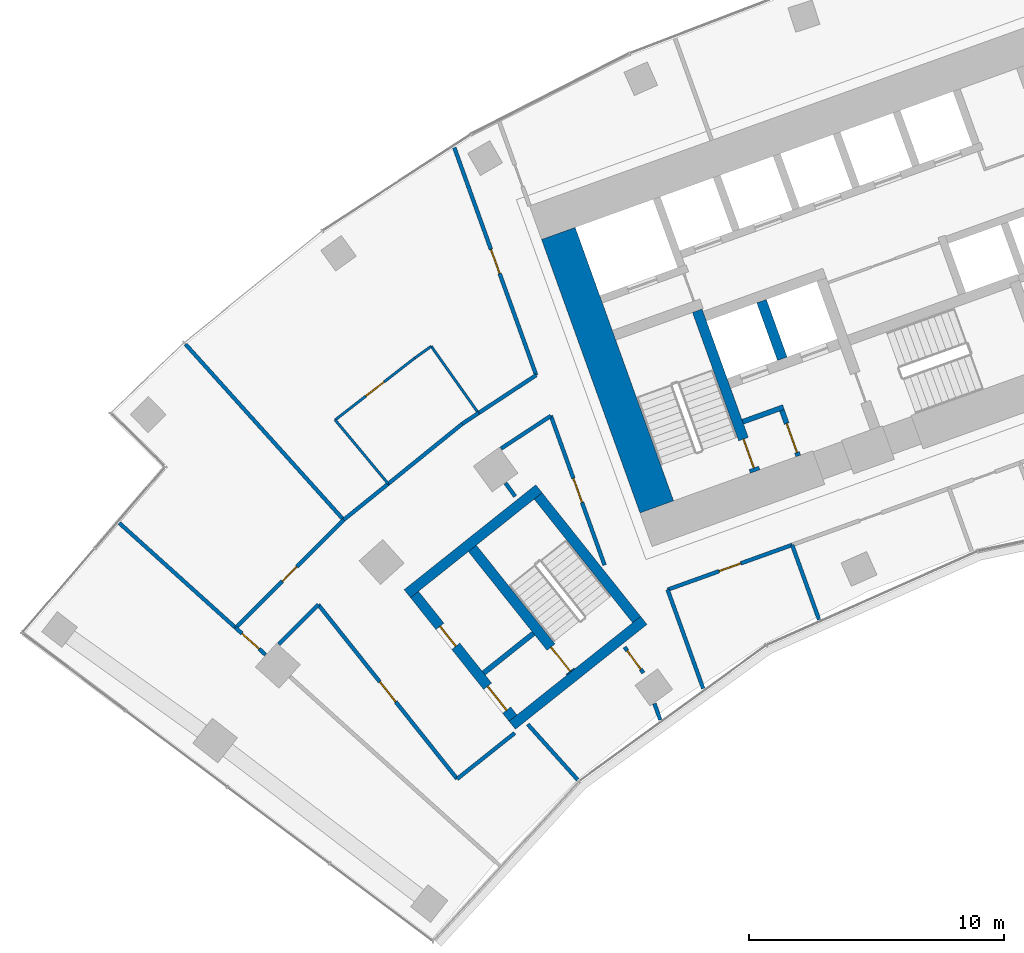
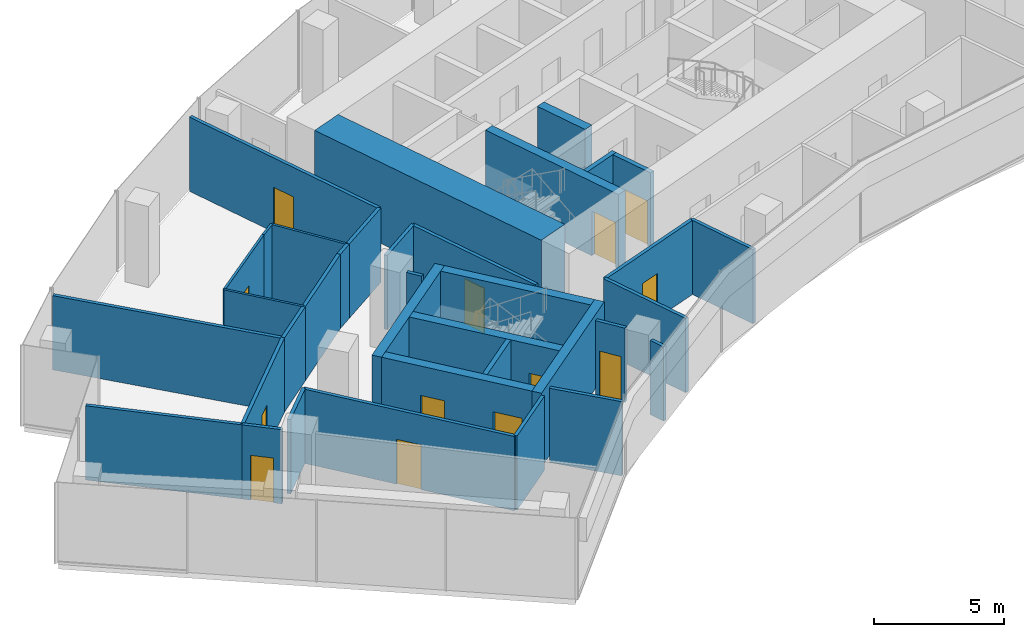
# One storey, part 13 of 21: 36 walls, 13 doors, 13 openings.
"""IFC4 building model written with IfcOpenShell, lengths in metres."""

from ifc_helpers import new_model, si_unit, direction, frame, frame_2d, origin, place, context, subcontext, project, spatial, rectangle, extrude, material, layer, layer_set, type_object, element, fill, save


model = new_model("IFC4")

# Units and contexts
model_context = context("Model", 3, precision=1e-05, world=origin(), true_north=direction((0.0, 1.0)))
body_context = subcontext(model_context, "Body", "Model", "MODEL_VIEW")
ifc_project = project(units=[si_unit("LENGTHUNIT", "METRE"), si_unit("AREAUNIT", "SQUARE_METRE"), si_unit("VOLUMEUNIT", "CUBIC_METRE"), si_unit("PLANEANGLEUNIT", "RADIAN"), si_unit("MASSUNIT", "GRAM", prefix="KILO")], contexts=[model_context])

# Site, building, storey
site_placement = place(None, origin())
site = spatial("IfcSite", under=ifc_project, at=site_placement, CompositionType="ELEMENT")
building_placement = place(site_placement, origin())
building = spatial("IfcBuilding", under=site, at=building_placement, Name="Stone Belt Terrace Tower", CompositionType="ELEMENT")
storey_placement = place(building_placement, frame((0.0, 0.0, 159.199951171875)))
storey = spatial("IfcBuildingStorey", under=building, at=storey_placement, Name="L38", CompositionType="ELEMENT", Elevation=159.199951171875)

# Walls
ifc_material_1 = material(Name="Concrete B80", Category="concrete")
ifc_layer_1 = layer(ifc_material_1, 1.39990234375)
ifc_layer_set_1 = layer_set([ifc_layer_1], Name="Core wall 1400 B80")
wall_type_1 = type_object("IfcWallType", Name="Core wall 1400 B80", PredefinedType="SHEAR", material=ifc_layer_set_1)
wall_1_placement = place(storey_placement, frame((-26.00927734375, 43.03515625, 0.0), z_axis=(0.0, 0.0, 1.0), x_axis=(-0.338625431531, 0.940921259788, 0.0)))
element("IfcWall", 1, at=wall_1_placement, inside=storey, type_object=wall_type_1, Name="Core A wall end_a L38", PredefinedType="SHEAR", context=body_context, shape_type="SweptSolid", body=[
    extrude(rectangle(XDim=11.400146484375, YDim=1.39990234375, at=frame_2d((5.7001953125, 0.0))), origin(), (0.0, 0.0, 1.0), 3.800048828125),
])
ifc_layer_2 = layer(ifc_material_1, 0.39990234375)
ifc_layer_set_2 = layer_set([ifc_layer_2], Name="Fire-fighting lift shaft wall 400")
wall_type_2 = type_object("IfcWallType", Name="Fire-fighting lift shaft wall 400", PredefinedType="SHEAR", material=ifc_layer_set_2)
wall_2_placement = place(storey_placement, frame((-21.0859375, 48.845458984375, 0.0), z_axis=(0.0, 0.0, 1.0), x_axis=(-0.338629416206, 0.940919825745, 0.0)))
element("IfcWall", 2, at=wall_2_placement, inside=storey, type_object=wall_type_2, Name="Core A wall", PredefinedType="SHEAR", context=body_context, shape_type="SweptSolid", body=[
    extrude(rectangle(XDim=2.400146484375, YDim=0.39990234375, at=frame_2d((1.2001953125, 0.0))), origin(), (0.0, 0.0, 1.0), 3.47998046875),
])
ifc_material_2 = material(Name="Gypsum board partition")
ifc_layer_3 = layer(ifc_material_2, 0.10009765625)
ifc_layer_set_3 = layer_set([ifc_layer_3], Name="PARTITION 100")
wall_type_3 = type_object("IfcWallType", Name="PARTITION 100", PredefinedType="PARTITIONING", material=ifc_layer_set_3)
wall_3_placement = place(storey_placement, frame((-33.00390625, 46.7119140625, 0.0), z_axis=(0.0, 0.0, 1.0), x_axis=(-0.576987586469, 0.81675291555, 0.0)))
element("IfcWall", 3, at=wall_3_placement, inside=storey, type_object=wall_type_3, Name="L38/wall/i056", PredefinedType="PARTITIONING", context=body_context, shape_type="SweptSolid", body=[
    extrude(rectangle(XDim=3.211669921875, YDim=0.10009765625, at=frame_2d((1.60595703125, 0.0))), origin(), (0.0, 0.0, 1.0), 3.47998046875),
])
wall_4_placement = place(storey_placement, frame((-34.85693359375, 49.3349609375, 0.0), z_axis=(0.0, 0.0, 1.0), x_axis=(-0.813051119642, -0.582192302293, 0.0)))
element("IfcWall", 4, at=wall_4_placement, inside=storey, type_object=wall_type_3, Name="L38/wall/i057", PredefinedType="PARTITIONING", context=body_context, shape_type="SweptSolid", body=[
    extrude(rectangle(XDim=0.79833984375, YDim=0.10009765625, at=frame_2d((0.399169921875, 0.0))), origin(), (0.0, 0.0, 1.0), 3.47998046875),
])

# Wall, opening, door
wall_5_placement = place(storey_placement, frame((-35.506103515625, 48.8701171875, 0.0), z_axis=(0.0, 0.0, 1.0), x_axis=(-0.789445377815, -0.613820817052, 0.0)))
wall_5 = element("IfcWall", 5, at=wall_5_placement, inside=storey, type_object=wall_type_3, Name="L38/wall/i058", PredefinedType="PARTITIONING", context=body_context, shape_type="SweptSolid", body=[
    extrude(rectangle(XDim=3.95068359375, YDim=0.10009765625, at=frame_2d((1.975341796875, 0.0))), origin(), (0.0, 0.0, 1.0), 3.47998046875),
])
opening_1_placement = place(wall_5_placement, frame((1.525390625, 0.0, 0.0)))
opening_1 = element("IfcOpeningElement", 6, at=opening_1_placement, cuts=wall_5, Name="Opening D-C2-17", PredefinedType="OPENING", context=body_context, shape_type="SweptSolid", body=[
    extrude(rectangle(XDim=0.89990234375, YDim=2.10009765625, at=frame_2d((0.449951171875, 1.050048828125))), frame((0.0, 0.06005859375, 0.0), z_axis=(0.0, -1.0, 0.0), x_axis=(1.0, 0.0, 0.0)), (0.0, 0.0, 1.0), 0.1201171875),
])
ifc_material_3 = material(Name="Timber door leaf", Category="wood")
door_type_1 = type_object("IfcDoorType", Name="OFFICE DOOR 900 X 2100", OperationType="NOTDEFINED", PredefinedType="DOOR", material=ifc_material_3)
door_1_placement = place(opening_1_placement, origin())
door_1 = element("IfcDoor", 7, at=door_1_placement, inside=storey, type_object=door_type_1, Name="L38/door/i17", OperationType="SINGLE_SWING_RIGHT", OverallHeight=2.10009765625, OverallWidth=0.89990234375, PredefinedType="DOOR", context=body_context, shape_type="SweptSolid", body=[
    extrude(rectangle(XDim=0.89990234375, YDim=2.10009765625, at=frame_2d((0.449951171875, 1.050048828125))), frame((0.0, 0.02490234375, 0.0), z_axis=(0.0, -1.0, 0.0), x_axis=(1.0, 0.0, 0.0)), (0.0, 0.0, 1.0), 0.050048828125),
])
fill(opening_1, door_1)

# Walls
wall_6_placement = place(storey_placement, frame((-38.625, 46.445068359375, 0.0), z_axis=(0.0, 0.0, 1.0), x_axis=(0.639468695187, -0.768817135524, 0.0)))
element("IfcWall", 8, at=wall_6_placement, inside=storey, type_object=wall_type_3, Name="L38/wall/i059", PredefinedType="PARTITIONING", context=body_context, shape_type="SweptSolid", body=[
    extrude(rectangle(XDim=3.255859375, YDim=0.10009765625, at=frame_2d((1.6279296875, 0.0))), origin(), (0.0, 0.0, 1.0), 3.47998046875),
])
ifc_layer_4 = layer(ifc_material_2, 0.14990234375)
ifc_layer_set_4 = layer_set([ifc_layer_4], Name="PARTITION 150 EI 60")
wall_type_4 = type_object("IfcWallType", Name="PARTITION 150 EI 60", PredefinedType="PARTITIONING", material=ifc_layer_set_4)
wall_7_placement = place(storey_placement, frame((-25.5859375, 39.79296875, 0.0), z_axis=(0.0, 0.0, 1.0), x_axis=(0.338545933013, -0.940949866486, 0.0)))
element("IfcWall", 9, at=wall_7_placement, inside=storey, type_object=wall_type_4, Name="L38/wall/i001", PredefinedType="PARTITIONING", context=body_context, shape_type="SweptSolid", body=[
    extrude(rectangle(XDim=4.135009765625, YDim=0.14990234375, at=frame_2d((2.0673828125, 0.0))), origin(), (0.0, 0.0, 1.0), 3.47998046875),
])

# Wall, opening, door
wall_8_placement = place(storey_placement, frame((-28.05810546875, 40.75390625, 0.0), z_axis=(0.0, 0.0, 1.0), x_axis=(-0.338523697563, 0.94095786632, 0.0)))
wall_8 = element("IfcWall", 10, at=wall_8_placement, inside=storey, type_object=wall_type_4, Name="L38/wall/i003", PredefinedType="PARTITIONING", context=body_context, shape_type="SweptSolid", body=[
    extrude(rectangle(XDim=6.226806640625, YDim=0.14990234375, at=frame_2d((3.11328125, 0.0))), origin(), (0.0, 0.0, 1.0), 3.47998046875),
])
opening_2_placement = place(wall_8_placement, frame((2.61328125, 0.0, 0.0)))
opening_2 = element("IfcOpeningElement", 11, at=opening_2_placement, cuts=wall_8, Name="Opening D-C2-13", PredefinedType="OPENING", context=body_context, shape_type="SweptSolid", body=[
    extrude(rectangle(XDim=1.0, YDim=2.10009765625, at=frame_2d((0.5, 1.050048828125))), frame((0.0, 0.0849609375, 0.0), z_axis=(0.0, -1.0, 0.0), x_axis=(1.0, 0.0, 0.0)), (0.0, 0.0, 1.0), 0.169921875),
])
ifc_material_4 = material(Name="Timber fire door leaf", Category="wood")
door_type_2 = type_object("IfcDoorType", Name="TENANCY ENTRANCE DOOR 1000 X 2100", OperationType="NOTDEFINED", PredefinedType="DOOR", material=ifc_material_4)
door_2_placement = place(opening_2_placement, origin())
door_2 = element("IfcDoor", 12, at=door_2_placement, inside=storey, type_object=door_type_2, Name="L38/door/i13", OperationType="SINGLE_SWING_RIGHT", OverallHeight=2.10009765625, OverallWidth=1.0, PredefinedType="DOOR", context=body_context, shape_type="SweptSolid", body=[
    extrude(rectangle(XDim=1.0, YDim=2.10009765625, at=frame_2d((0.5, 1.050048828125))), frame((0.0, 0.02490234375, 0.0), z_axis=(0.0, -1.0, 0.0), x_axis=(1.0, 0.0, 0.0)), (0.0, 0.0, 1.0), 0.050048828125),
])
fill(opening_2, door_2)

# Wall
wall_9_placement = place(storey_placement, frame((-25.870849609375, 34.67822265625, 0.0), z_axis=(0.0, 0.0, 1.0), x_axis=(-0.338744881741, 0.940878262632, 0.0)))
element("IfcWall", 13, at=wall_9_placement, inside=storey, type_object=wall_type_4, Name="L38/wall/i004", PredefinedType="PARTITIONING", context=body_context, shape_type="SweptSolid", body=[
    extrude(rectangle(XDim=0.680419921875, YDim=0.14990234375, at=frame_2d((0.34033203125, 0.0))), origin(), (0.0, 0.0, 1.0), 3.47998046875),
])

# Wall, opening, door
wall_10_placement = place(storey_placement, frame((-26.534912109375, 36.52294921875, 0.0), z_axis=(0.0, 0.0, 1.0), x_axis=(-0.58822969918, 0.80869389821, 0.0)))
wall_10 = element("IfcWall", 14, at=wall_10_placement, inside=storey, type_object=wall_type_4, Name="L38/wall/i005", PredefinedType="PARTITIONING", context=body_context, shape_type="SweptSolid", body=[
    extrude(rectangle(XDim=1.25146484375, YDim=0.14990234375, at=frame_2d((0.625732421875, 0.0))), origin(), (0.0, 0.0, 1.0), 3.47998046875),
])
opening_3_placement = place(wall_10_placement, frame((0.17578125, 0.0, 0.0)))
opening_3 = element("IfcOpeningElement", 15, at=opening_3_placement, cuts=wall_10, Name="Opening D-C2-14", PredefinedType="OPENING", context=body_context, shape_type="SweptSolid", body=[
    extrude(rectangle(XDim=0.89990234375, YDim=2.10009765625, at=frame_2d((0.449951171875, 1.050048828125))), frame((0.0, 0.0849609375, 0.0), z_axis=(0.0, -1.0, 0.0), x_axis=(1.0, 0.0, 0.0)), (0.0, 0.0, 1.0), 0.169921875),
])
door_3_placement = place(opening_3_placement, origin())
door_3 = element("IfcDoor", 16, at=door_3_placement, inside=storey, type_object=door_type_1, Name="L38/door/i14", OperationType="SINGLE_SWING_RIGHT", OverallHeight=2.10009765625, OverallWidth=0.89990234375, PredefinedType="DOOR", context=body_context, shape_type="SweptSolid", body=[
    extrude(rectangle(XDim=0.89990234375, YDim=2.10009765625, at=frame_2d((0.449951171875, 1.050048828125))), frame((0.0, 0.02490234375, 0.0), z_axis=(0.0, -1.0, 0.0), x_axis=(1.0, 0.0, 0.0)), (0.0, 0.0, 1.0), 0.050048828125),
])
fill(opening_3, door_3)

wall_11_placement = place(storey_placement, frame((-30.737060546875, 48.197021484375, 0.0), z_axis=(0.0, 0.0, 1.0), x_axis=(-0.338586530295, 0.940935258933, 0.0)))
wall_11 = element("IfcWall", 17, at=wall_11_placement, inside=storey, type_object=wall_type_4, Name="L38/wall/i006", PredefinedType="PARTITIONING", context=body_context, shape_type="SweptSolid", body=[
    extrude(rectangle(XDim=9.494873046875, YDim=0.14990234375, at=frame_2d((4.74755859375, 0.0))), origin(), (0.0, 0.0, 1.0), 3.47998046875),
])
opening_4_placement = place(wall_11_placement, frame((4.24755859375, 0.0, 0.0)))
opening_4 = element("IfcOpeningElement", 18, at=opening_4_placement, cuts=wall_11, Name="Opening D-C2-16", PredefinedType="OPENING", context=body_context, shape_type="SweptSolid", body=[
    extrude(rectangle(XDim=1.0, YDim=2.10009765625, at=frame_2d((0.5, 1.050048828125))), frame((0.0, 0.0849609375, 0.0), z_axis=(0.0, -1.0, 0.0), x_axis=(1.0, 0.0, 0.0)), (0.0, 0.0, 1.0), 0.169921875),
])
door_4_placement = place(opening_4_placement, origin())
door_4 = element("IfcDoor", 19, at=door_4_placement, inside=storey, type_object=door_type_2, Name="L38/door/i16", OperationType="SINGLE_SWING_RIGHT", OverallHeight=2.10009765625, OverallWidth=1.0, PredefinedType="DOOR", context=body_context, shape_type="SweptSolid", body=[
    extrude(rectangle(XDim=1.0, YDim=2.10009765625, at=frame_2d((0.5, 1.050048828125))), frame((0.0, 0.02490234375, 0.0), z_axis=(0.0, -1.0, 0.0), x_axis=(1.0, 0.0, 0.0)), (0.0, 0.0, 1.0), 0.050048828125),
])
fill(opening_4, door_4)

wall_12_placement = place(storey_placement, frame((-20.695068359375, 41.5458984375, 0.0), z_axis=(0.0, 0.0, 1.0), x_axis=(-0.940962265719, -0.338511468776, 0.0)))
wall_12 = element("IfcWall", 20, at=wall_12_placement, inside=storey, type_object=wall_type_4, Name="L38/wall/i014", PredefinedType="PARTITIONING", context=body_context, shape_type="SweptSolid", body=[
    extrude(rectangle(XDim=5.195556640625, YDim=0.14990234375, at=frame_2d((2.59765625, 0.0))), origin(), (0.0, 0.0, 1.0), 3.47998046875),
])
opening_5_placement = place(wall_12_placement, frame((2.14794921875, 0.0, 0.0)))
opening_5 = element("IfcOpeningElement", 21, at=opening_5_placement, cuts=wall_12, Name="Opening D-C2-01", PredefinedType="OPENING", context=body_context, shape_type="SweptSolid", body=[
    extrude(rectangle(XDim=0.89990234375, YDim=2.10009765625, at=frame_2d((0.449951171875, 1.050048828125))), frame((0.0, 0.0849609375, 0.0), z_axis=(0.0, -1.0, 0.0), x_axis=(1.0, 0.0, 0.0)), (0.0, 0.0, 1.0), 0.169921875),
])
door_5_placement = place(opening_5_placement, origin())
door_5 = element("IfcDoor", 22, at=door_5_placement, inside=storey, type_object=door_type_1, Name="L38/door/i01", OperationType="SINGLE_SWING_RIGHT", OverallHeight=2.10009765625, OverallWidth=0.89990234375, PredefinedType="DOOR", context=body_context, shape_type="SweptSolid", body=[
    extrude(rectangle(XDim=0.89990234375, YDim=2.10009765625, at=frame_2d((0.449951171875, 1.050048828125))), frame((0.0, 0.02490234375, 0.0), z_axis=(0.0, -1.0, 0.0), x_axis=(1.0, 0.0, 0.0)), (0.0, 0.0, 1.0), 0.050048828125),
])
fill(opening_5, door_5)

# Wall
wall_13_placement = place(storey_placement, frame((-20.700927734375, 41.5439453125, 0.0), z_axis=(0.0, 0.0, 1.0), x_axis=(0.338730556493, -0.940883420036, 0.0)))
element("IfcWall", 23, at=wall_13_placement, inside=storey, type_object=wall_type_4, Name="L38/wall/i018", PredefinedType="PARTITIONING", context=body_context, shape_type="SweptSolid", body=[
    extrude(rectangle(XDim=3.11865234375, YDim=0.14990234375, at=frame_2d((1.559326171875, 0.0))), origin(), (0.0, 0.0, 1.0), 3.47998046875),
])

# Wall, opening, door
wall_14_placement = place(storey_placement, frame((-41.35986328125, 37.240478515625, 0.0), z_axis=(0.0, 0.0, 1.0), x_axis=(-0.742885543222, 0.669418456327, 0.0)))
wall_14 = element("IfcWall", 24, at=wall_14_placement, inside=storey, type_object=wall_type_4, Name="L38/wall/i042", PredefinedType="PARTITIONING", context=body_context, shape_type="SweptSolid", body=[
    extrude(rectangle(XDim=1.5751953125, YDim=0.14990234375, at=frame_2d((0.78759765625, 0.0))), origin(), (0.0, 0.0, 1.0), 3.47998046875),
])
opening_6_placement = place(wall_14_placement, frame((0.337646484375, 0.0, 0.0)))
opening_6 = element("IfcOpeningElement", 25, at=opening_6_placement, cuts=wall_14, Name="Opening D-C2-12", PredefinedType="OPENING", context=body_context, shape_type="SweptSolid", body=[
    extrude(rectangle(XDim=0.89990234375, YDim=2.10009765625, at=frame_2d((0.449951171875, 1.050048828125))), frame((0.0, 0.0849609375, 0.0), z_axis=(0.0, -1.0, 0.0), x_axis=(1.0, 0.0, 0.0)), (0.0, 0.0, 1.0), 0.169921875),
])
door_type_3 = type_object("IfcDoorType", Name="TENANCY ENTRANCE DOOR 900 X 2100", OperationType="NOTDEFINED", PredefinedType="DOOR", material=ifc_material_4)
door_6_placement = place(opening_6_placement, origin())
door_6 = element("IfcDoor", 26, at=door_6_placement, inside=storey, type_object=door_type_3, Name="L38/door/i12", OperationType="SINGLE_SWING_RIGHT", OverallHeight=2.10009765625, OverallWidth=0.89990234375, PredefinedType="DOOR", context=body_context, shape_type="SweptSolid", body=[
    extrude(rectangle(XDim=0.89990234375, YDim=2.10009765625, at=frame_2d((0.449951171875, 1.050048828125))), frame((0.0, 0.02490234375, 0.0), z_axis=(0.0, -1.0, 0.0), x_axis=(1.0, 0.0, 0.0)), (0.0, 0.0, 1.0), 0.050048828125),
])
fill(opening_6, door_6)

# Walls
wall_15_placement = place(storey_placement, frame((-47.09228515625, 42.40283203125, 0.0), z_axis=(0.0, 0.0, 1.0), x_axis=(0.743096733758, -0.669184013765, 0.0)))
element("IfcWall", 27, at=wall_15_placement, inside=storey, type_object=wall_type_4, Name="L38/wall/i044", PredefinedType="PARTITIONING", context=body_context, shape_type="SweptSolid", body=[
    extrude(rectangle(XDim=6.150390625, YDim=0.14990234375, at=frame_2d((3.0751953125, 0.0))), origin(), (0.0, 0.0, 1.0), 3.47998046875),
])
wall_16_placement = place(storey_placement, frame((-30.1650390625, 46.60595703125, 0.0), z_axis=(0.0, 0.0, 1.0), x_axis=(-0.835424653074, -0.549604993641, 0.0)))
element("IfcWall", 28, at=wall_16_placement, inside=storey, type_object=wall_type_4, Name="L38/wall/i045", PredefinedType="PARTITIONING", context=body_context, shape_type="SweptSolid", body=[
    extrude(rectangle(XDim=2.337890625, YDim=0.14990234375, at=frame_2d((1.1689453125, 0.0))), origin(), (0.0, 0.0, 1.0), 3.47998046875),
])
wall_17_placement = place(storey_placement, frame((-31.943115234375, 43.966064453125, 0.0), z_axis=(0.0, 0.0, 1.0), x_axis=(0.588149120926, -0.808752503275, 0.0)))
element("IfcWall", 29, at=wall_17_placement, inside=storey, type_object=wall_type_4, Name="L38/wall/i046", PredefinedType="PARTITIONING", context=body_context, shape_type="SweptSolid", body=[
    extrude(rectangle(XDim=0.64306640625, YDim=0.14990234375, at=frame_2d((0.321533203125, 0.0))), origin(), (0.0, 0.0, 1.0), 3.47998046875),
])
wall_18_placement = place(storey_placement, frame((-39.281982421875, 39.205078125, 0.0), z_axis=(0.0, 0.0, 1.0), x_axis=(-0.707106781187, -0.707106781187, 0.0)))
element("IfcWall", 30, at=wall_18_placement, inside=storey, type_object=wall_type_4, Name="L38/wall/i047", PredefinedType="PARTITIONING", context=body_context, shape_type="SweptSolid", body=[
    extrude(rectangle(XDim=2.1982421875, YDim=0.14990234375, at=frame_2d((1.09912109375, 0.0))), origin(), (0.0, 0.0, 1.0), 3.47998046875),
])
wall_19_placement = place(storey_placement, frame((-38.2900390625, 42.527099609375, 0.0), z_axis=(0.0, 0.0, 1.0), x_axis=(0.777305407687, 0.629123440336, 0.0)))
element("IfcWall", 31, at=wall_19_placement, inside=storey, type_object=wall_type_4, Name="L38/wall/i048", PredefinedType="PARTITIONING", context=body_context, shape_type="SweptSolid", body=[
    extrude(rectangle(XDim=2.25390625, YDim=0.14990234375, at=frame_2d((1.126953125, 0.0))), origin(), (0.0, 0.0, 1.0), 3.47998046875),
])
wall_20_placement = place(storey_placement, frame((-33.009033203125, 46.708984375, 0.0), z_axis=(0.0, 0.0, 1.0), x_axis=(0.835338913682, 0.549735299292, 0.0)))
element("IfcWall", 32, at=wall_20_placement, inside=storey, type_object=wall_type_4, Name="L38/wall/i049", PredefinedType="PARTITIONING", context=body_context, shape_type="SweptSolid", body=[
    extrude(rectangle(XDim=2.717529296875, YDim=0.14990234375, at=frame_2d((1.35888671875, 0.0))), origin(), (0.0, 0.0, 1.0), 3.47998046875),
])
wall_21_placement = place(storey_placement, frame((-36.547119140625, 43.93798828125, 0.0), z_axis=(0.0, 0.0, 1.0), x_axis=(0.777077902993, 0.629404426963, 0.0)))
element("IfcWall", 33, at=wall_21_placement, inside=storey, type_object=wall_type_4, Name="L38/wall/i050", PredefinedType="PARTITIONING", context=body_context, shape_type="SweptSolid", body=[
    extrude(rectangle(XDim=3.746337890625, YDim=0.14990234375, at=frame_2d((1.873046875, 0.0))), origin(), (0.0, 0.0, 1.0), 3.47998046875),
])
wall_22_placement = place(storey_placement, frame((-33.635986328125, 46.2958984375, 0.0), z_axis=(0.0, 0.0, 1.0), x_axis=(0.835335830137, 0.549739984801, 0.0)))
element("IfcWall", 34, at=wall_22_placement, inside=storey, type_object=wall_type_4, Name="L38/wall/i051", PredefinedType="PARTITIONING", context=body_context, shape_type="SweptSolid", body=[
    extrude(rectangle(XDim=0.762451171875, YDim=0.14990234375, at=frame_2d((0.38134765625, 0.0))), origin(), (0.0, 0.0, 1.0), 3.47998046875),
])

# Wall, opening, door
wall_23_placement = place(storey_placement, frame((-42.52587890625, 38.291015625, 0.0), z_axis=(0.0, 0.0, 1.0), x_axis=(0.707106781187, 0.707106781187, 0.0)))
wall_23 = element("IfcWall", 35, at=wall_23_placement, inside=storey, type_object=wall_type_4, Name="L38/wall/i052", PredefinedType="PARTITIONING", context=body_context, shape_type="SweptSolid", body=[
    extrude(rectangle(XDim=5.989013671875, YDim=0.14990234375, at=frame_2d((2.99462890625, 0.0))), origin(), (0.0, 0.0, 1.0), 3.47998046875),
])
opening_7_placement = place(wall_23_placement, frame((2.594482421875, 0.0, 0.0)))
opening_7 = element("IfcOpeningElement", 36, at=opening_7_placement, cuts=wall_23, Name="Opening D-C2-18", PredefinedType="OPENING", context=body_context, shape_type="SweptSolid", body=[
    extrude(rectangle(XDim=0.800048828125, YDim=2.10009765625, at=frame_2d((0.39990234375, 1.050048828125))), frame((0.0, 0.0849609375, 0.0), z_axis=(0.0, -1.0, 0.0), x_axis=(1.0, 0.0, 0.0)), (0.0, 0.0, 1.0), 0.169921875),
])
door_type_4 = type_object("IfcDoorType", Name="STORE DOOR 800 X 2100", OperationType="NOTDEFINED", PredefinedType="DOOR", material=ifc_material_3)
door_7_placement = place(opening_7_placement, origin())
door_7 = element("IfcDoor", 37, at=door_7_placement, inside=storey, type_object=door_type_4, Name="L38/door/i18", OperationType="SINGLE_SWING_RIGHT", OverallHeight=2.10009765625, OverallWidth=0.800048828125, PredefinedType="DOOR", context=body_context, shape_type="SweptSolid", body=[
    extrude(rectangle(XDim=0.800048828125, YDim=2.10009765625, at=frame_2d((0.39990234375, 1.050048828125))), frame((0.0, 0.02490234375, 0.0), z_axis=(0.0, -1.0, 0.0), x_axis=(1.0, 0.0, 0.0)), (0.0, 0.0, 1.0), 0.050048828125),
])
fill(opening_7, door_7)

# Wall
wall_24_placement = place(storey_placement, frame((-31.5810546875, 34.1650390625, 0.0), z_axis=(0.0, 0.0, 1.0), x_axis=(-0.782079504581, -0.623178665003, 0.0)))
element("IfcWall", 38, at=wall_24_placement, inside=storey, type_object=wall_type_4, Name="L38/wall/i053", PredefinedType="PARTITIONING", context=body_context, shape_type="SweptSolid", body=[
    extrude(rectangle(XDim=2.888427734375, YDim=0.14990234375, at=frame_2d((1.4443359375, 0.0))), origin(), (0.0, 0.0, 1.0), 3.47998046875),
])

# Wall, opening, door
wall_25_placement = place(storey_placement, frame((-33.840087890625, 32.364990234375, 0.0), z_axis=(0.0, 0.0, 1.0), x_axis=(-0.6230926474, 0.782148037622, 0.0)))
wall_25 = element("IfcWall", 39, at=wall_25_placement, inside=storey, type_object=wall_type_4, Name="L38/wall/i054", PredefinedType="PARTITIONING", context=body_context, shape_type="SweptSolid", body=[
    extrude(rectangle(XDim=8.739990234375, YDim=0.14990234375, at=frame_2d((4.3701171875, 0.0))), origin(), (0.0, 0.0, 1.0), 3.47998046875),
])
opening_8_placement = place(wall_25_placement, frame((3.8701171875, 0.0, 0.0)))
opening_8 = element("IfcOpeningElement", 40, at=opening_8_placement, cuts=wall_25, Name="Opening D-C2-15", PredefinedType="OPENING", context=body_context, shape_type="SweptSolid", body=[
    extrude(rectangle(XDim=1.0, YDim=2.10009765625, at=frame_2d((0.5, 1.050048828125))), frame((0.0, 0.0849609375, 0.0), z_axis=(0.0, -1.0, 0.0), x_axis=(1.0, 0.0, 0.0)), (0.0, 0.0, 1.0), 0.169921875),
])
door_8_placement = place(opening_8_placement, origin())
door_8 = element("IfcDoor", 41, at=door_8_placement, inside=storey, type_object=door_type_2, Name="L38/door/i15", OperationType="SINGLE_SWING_RIGHT", OverallHeight=2.10009765625, OverallWidth=1.0, PredefinedType="DOOR", context=body_context, shape_type="SweptSolid", body=[
    extrude(rectangle(XDim=1.0, YDim=2.10009765625, at=frame_2d((0.5, 1.050048828125))), frame((0.0, 0.02490234375, 0.0), z_axis=(0.0, -1.0, 0.0), x_axis=(1.0, 0.0, 0.0)), (0.0, 0.0, 1.0), 0.050048828125),
])
fill(opening_8, door_8)

# Walls
wall_26_placement = place(storey_placement, frame((-29.107177734375, 32.32666015625, 0.0), z_axis=(0.0, 0.0, 1.0), x_axis=(-0.669245075227, 0.74304174128, 0.0)))
element("IfcWall", 42, at=wall_26_placement, inside=storey, type_object=wall_type_4, Name="L38/wall/i055", PredefinedType="PARTITIONING", context=body_context, shape_type="SweptSolid", body=[
    extrude(rectangle(XDim=2.9345703125, YDim=0.14990234375, at=frame_2d((1.46728515625, 0.0))), origin(), (0.0, 0.0, 1.0), 3.47998046875),
])
wall_27_placement = place(storey_placement, frame((-38.291015625, 42.52587890625, 0.0), z_axis=(0.0, 0.0, 1.0), x_axis=(-0.669060704206, 0.743207759706, 0.0)))
element("IfcWall", 43, at=wall_27_placement, inside=storey, type_object=wall_type_4, Name="L38/wall/i060", PredefinedType="PARTITIONING", context=body_context, shape_type="SweptSolid", body=[
    extrude(rectangle(XDim=9.275390625, YDim=0.14990234375, at=frame_2d((4.6376953125, 0.0))), origin(), (0.0, 0.0, 1.0), 3.47998046875),
])
ifc_material_5 = material(Name="Concrete masonry block", Category="masonry")
ifc_layer_5 = layer(ifc_material_5, 0.199951171875)
ifc_layer_set_5 = layer_set([ifc_layer_5], Name="Rated lobby wall 200")
wall_type_5 = type_object("IfcWallType", Name="Rated lobby wall 200", PredefinedType="PARTITIONING", material=ifc_layer_set_5)
wall_28_placement = place(storey_placement, frame((-22.640625, 46.373046875, 0.0), z_axis=(0.0, 0.0, 1.0), x_axis=(0.940966110313, 0.338500781747, 0.0)))
element("IfcWall", 44, at=wall_28_placement, inside=storey, type_object=wall_type_5, Name="Core A wall", PredefinedType="PARTITIONING", context=body_context, shape_type="SweptSolid", body=[
    extrude(rectangle(XDim=1.699951171875, YDim=0.199951171875, at=frame_2d((0.85009765625, 0.0))), origin(), (0.0, 0.0, 1.0), 3.47998046875),
])

# Wall, opening, door
wall_29_placement = place(storey_placement, frame((-20.4580078125, 45.032958984375, 0.0), z_axis=(0.0, 0.0, 1.0), x_axis=(-0.338573865316, 0.940939816208, 0.0)))
wall_29 = element("IfcWall", 45, at=wall_29_placement, inside=storey, type_object=wall_type_5, Name="Core A wall", PredefinedType="PARTITIONING", context=body_context, shape_type="SweptSolid", body=[
    extrude(rectangle(XDim=1.900146484375, YDim=0.199951171875, at=frame_2d((0.9501953125, 0.0))), origin(), (0.0, 0.0, 1.0), 3.47998046875),
])
opening_9_placement = place(wall_29_placement, frame((0.14990234375, 0.0, 0.0)))
opening_9 = element("IfcOpeningElement", 46, at=opening_9_placement, cuts=wall_29, Name="Opening L38-C06", PredefinedType="OPENING", context=body_context, shape_type="SweptSolid", body=[
    extrude(rectangle(XDim=1.199951171875, YDim=2.10009765625, at=frame_2d((0.60009765625, 1.050048828125))), frame((0.0, 0.10986328125, 0.0), z_axis=(0.0, -1.0, 0.0), x_axis=(1.0, 0.0, 0.0)), (0.0, 0.0, 1.0), 0.219970703125),
])
ifc_material_6 = material(Name="Steel door leaf", Category="steel")
door_type_5 = type_object("IfcDoorType", Name="Stair door 1200", OperationType="SINGLE_SWING_LEFT", PredefinedType="DOOR", material=ifc_material_6)
door_9_placement = place(opening_9_placement, origin())
door_9 = element("IfcDoor", 47, at=door_9_placement, inside=storey, type_object=door_type_5, Name="Stair airlock door core A", OperationType="SINGLE_SWING_RIGHT", OverallHeight=2.10009765625, OverallWidth=1.199951171875, PredefinedType="DOOR", context=body_context, shape_type="SweptSolid", body=[
    extrude(rectangle(XDim=1.199951171875, YDim=2.10009765625, at=frame_2d((0.60009765625, 1.050048828125))), frame((0.0, 0.02490234375, 0.0), z_axis=(0.0, -1.0, 0.0), x_axis=(1.0, 0.0, 0.0)), (0.0, 0.0, 1.0), 0.050048828125),
])
fill(opening_9, door_9)

# Wall
wall_30_placement = place(storey_placement, frame((-30.845703125, 38.074951171875, 0.0), z_axis=(0.0, 0.0, 1.0), x_axis=(-0.782115323833, -0.623133709749, 0.0)))
element("IfcWall", 48, at=wall_30_placement, inside=storey, type_object=wall_type_5, Name="Exit stair ST3A wall", PredefinedType="PARTITIONING", context=body_context, shape_type="SweptSolid", body=[
    extrude(rectangle(XDim=2.5, YDim=0.199951171875, at=frame_2d((1.25, 0.0))), origin(), (0.0, 0.0, 1.0), 3.47998046875),
])

# Wall, opening, door
ifc_layer_6 = layer(ifc_material_1, 0.39990234375)
ifc_layer_set_6 = layer_set([ifc_layer_6], Name="Stair enclosure wall 400")
wall_type_6 = type_object("IfcWallType", Name="Stair enclosure wall 400", PredefinedType="SHEAR", material=ifc_layer_set_6)
wall_31_placement = place(storey_placement, frame((-22.151611328125, 44.42333984375, 0.0), z_axis=(0.0, 0.0, 1.0), x_axis=(-0.338625272931, 0.940921316866, 0.0)))
wall_31 = element("IfcWall", 49, at=wall_31_placement, inside=storey, type_object=wall_type_6, Name="Core A wall", PredefinedType="SHEAR", context=body_context, shape_type="SweptSolid", body=[
    extrude(rectangle(XDim=6.699951171875, YDim=0.39990234375, at=frame_2d((3.35009765625, 0.0))), origin(), (0.0, 0.0, 1.0), 3.47998046875),
])
opening_10_placement = place(wall_31_placement, frame((0.14990234375, 0.0, 0.0)))
opening_10 = element("IfcOpeningElement", 50, at=opening_10_placement, cuts=wall_31, Name="Opening L38-C05", PredefinedType="OPENING", context=body_context, shape_type="SweptSolid", body=[
    extrude(rectangle(XDim=1.199951171875, YDim=2.10009765625, at=frame_2d((0.60009765625, 1.050048828125))), frame((0.0, 0.2099609375, 0.0), z_axis=(0.0, -1.0, 0.0), x_axis=(1.0, 0.0, 0.0)), (0.0, 0.0, 1.0), 0.419921875),
])
door_10_placement = place(opening_10_placement, origin())
door_10 = element("IfcDoor", 51, at=door_10_placement, inside=storey, type_object=door_type_5, Name="Stair 1 door core A", OperationType="SINGLE_SWING_RIGHT", OverallHeight=2.10009765625, OverallWidth=1.199951171875, PredefinedType="DOOR", context=body_context, shape_type="SweptSolid", body=[
    extrude(rectangle(XDim=1.199951171875, YDim=2.10009765625, at=frame_2d((0.60009765625, 1.050048828125))), frame((0.0, 0.02490234375, 0.0), z_axis=(0.0, -1.0, 0.0), x_axis=(1.0, 0.0, 0.0)), (0.0, 0.0, 1.0), 0.050048828125),
])
fill(opening_10, door_10)

# Walls
for number, where, z_axis, x_axis, name in (
    (52, (-26.518798828125, 38.58154296875, 0.0), (0.0, 0.0, 1.0), (-0.782133914161, -0.623110375711, 0.0), "Exit stair ST3A wall"),
    (53, (-30.63134765625, 43.74365234375, 0.0), (0.0, 0.0, 1.0), (-0.782133914161, -0.623110375711, 0.0), "Exit stair ST3A wall"),
):
    element("IfcWall", number, at=place(storey_placement, frame(where, z_axis=z_axis, x_axis=x_axis)), inside=storey, type_object=wall_type_6, Name=name, PredefinedType="SHEAR", context=body_context, shape_type="SweptSolid", body=[
        extrude(rectangle(XDim=6.60009765625, YDim=0.39990234375, at=frame_2d((3.300048828125, 0.0))), origin(), (0.0, 0.0, 1.0), 3.47998046875),
    ])
wall_32_placement = place(storey_placement, frame((-26.7998046875, 38.61328125, 0.0), z_axis=(0.0, 0.0, 1.0), x_axis=(-0.623118653668, 0.782127319208, 0.0)))
element("IfcWall", 54, at=wall_32_placement, inside=storey, type_object=wall_type_6, Name="Exit stair ST3A wall", PredefinedType="SHEAR", context=body_context, shape_type="SweptSolid", body=[
    extrude(rectangle(XDim=6.199951171875, YDim=0.39990234375, at=frame_2d((3.10009765625, 0.0))), origin(), (0.0, 0.0, 1.0), 3.47998046875),
])

# Wall, openings, doors
wall_33_placement = place(storey_placement, frame((-31.64892578125, 34.75, 0.0), z_axis=(0.0, 0.0, 1.0), x_axis=(-0.623118653668, 0.782127319208, 0.0)))
wall_33 = element("IfcWall", 55, at=wall_33_placement, inside=storey, type_object=wall_type_6, Name="Exit stair ST3A wall", PredefinedType="SHEAR", context=body_context, shape_type="SweptSolid", body=[
    extrude(rectangle(XDim=6.199951171875, YDim=0.39990234375, at=frame_2d((3.10009765625, 0.0))), origin(), (0.0, 0.0, 1.0), 3.47998046875),
])
opening_11_placement = place(wall_33_placement, frame((0.39990234375, 0.0, 0.0)))
opening_11 = element("IfcOpeningElement", 56, at=opening_11_placement, cuts=wall_33, Name="Opening L38-C24", PredefinedType="OPENING", context=body_context, shape_type="SweptSolid", body=[
    extrude(rectangle(XDim=1.199951171875, YDim=2.10009765625, at=frame_2d((0.60009765625, 1.050048828125))), frame((0.0, 0.2099609375, 0.0), z_axis=(0.0, -1.0, 0.0), x_axis=(1.0, 0.0, 0.0)), (0.0, 0.0, 1.0), 0.419921875),
])
opening_12_placement = place(wall_33_placement, frame((3.60009765625, 0.0, 0.0)))
opening_12 = element("IfcOpeningElement", 57, at=opening_12_placement, cuts=wall_33, Name="Opening L38-C25", PredefinedType="OPENING", context=body_context, shape_type="SweptSolid", body=[
    extrude(rectangle(XDim=1.0, YDim=2.10009765625, at=frame_2d((0.5, 1.050048828125))), frame((0.0, 0.2099609375, 0.0), z_axis=(0.0, -1.0, 0.0), x_axis=(1.0, 0.0, 0.0)), (0.0, 0.0, 1.0), 0.419921875),
])
door_type_6 = type_object("IfcDoorType", Name="Core room door 1000", OperationType="SINGLE_SWING_LEFT", PredefinedType="DOOR", material=ifc_material_3)
door_11_placement = place(opening_12_placement, origin())
door_11 = element("IfcDoor", 58, at=door_11_placement, inside=storey, type_object=door_type_6, Name="Door to stair pressurisation plant room ST3A", OperationType="SINGLE_SWING_LEFT", OverallHeight=2.10009765625, OverallWidth=1.0, PredefinedType="DOOR", context=body_context, shape_type="SweptSolid", body=[
    extrude(rectangle(XDim=1.0, YDim=2.10009765625, at=frame_2d((0.5, 1.050048828125))), frame((0.0, 0.02490234375, 0.0), z_axis=(0.0, -1.0, 0.0), x_axis=(1.0, 0.0, 0.0)), (0.0, 0.0, 1.0), 0.050048828125),
])
fill(opening_12, door_11)
door_type_7 = type_object("IfcDoorType", Name="Stair airlock door 1200", OperationType="SINGLE_SWING_LEFT", PredefinedType="DOOR", material=ifc_material_6)
door_12_placement = place(opening_11_placement, origin())
door_12 = element("IfcDoor", 59, at=door_12_placement, inside=storey, type_object=door_type_7, Name="Stair airlock door ST3A", OperationType="SINGLE_SWING_LEFT", OverallHeight=2.10009765625, OverallWidth=1.199951171875, PredefinedType="DOOR", context=body_context, shape_type="SweptSolid", body=[
    extrude(rectangle(XDim=1.199951171875, YDim=2.10009765625, at=frame_2d((0.60009765625, 1.050048828125))), frame((0.0, 0.02490234375, 0.0), z_axis=(0.0, -1.0, 0.0), x_axis=(1.0, 0.0, 0.0)), (0.0, 0.0, 1.0), 0.050048828125),
])
fill(opening_11, door_12)

# Wall, opening, door
wall_34_placement = place(storey_placement, frame((-29.380859375, 36.556884765625, 0.0), z_axis=(0.0, 0.0, 1.0), x_axis=(-0.623099462847, 0.782142608097, 0.0)))
wall_34 = element("IfcWall", 60, at=wall_34_placement, inside=storey, type_object=wall_type_6, Name="Exit stair ST3A wall", PredefinedType="SHEAR", context=body_context, shape_type="SweptSolid", body=[
    extrude(rectangle(XDim=6.2001953125, YDim=0.39990234375, at=frame_2d((3.10009765625, 0.0))), origin(), (0.0, 0.0, 1.0), 3.47998046875),
])
opening_13_placement = place(wall_34_placement, frame((0.050048828125, 0.0, 0.0)))
opening_13 = element("IfcOpeningElement", 61, at=opening_13_placement, cuts=wall_34, Name="Opening L38-C23", PredefinedType="OPENING", context=body_context, shape_type="SweptSolid", body=[
    extrude(rectangle(XDim=1.199951171875, YDim=2.10009765625, at=frame_2d((0.60009765625, 1.050048828125))), frame((0.0, 0.2099609375, 0.0), z_axis=(0.0, -1.0, 0.0), x_axis=(1.0, 0.0, 0.0)), (0.0, 0.0, 1.0), 0.419921875),
])
door_13_placement = place(opening_13_placement, origin())
door_13 = element("IfcDoor", 62, at=door_13_placement, inside=storey, type_object=door_type_5, Name="Stair door ST3A", OperationType="SINGLE_SWING_RIGHT", OverallHeight=2.10009765625, OverallWidth=1.199951171875, PredefinedType="DOOR", context=body_context, shape_type="SweptSolid", body=[
    extrude(rectangle(XDim=1.199951171875, YDim=2.10009765625, at=frame_2d((0.60009765625, 1.050048828125))), frame((0.0, 0.02490234375, 0.0), z_axis=(0.0, -1.0, 0.0), x_axis=(1.0, 0.0, 0.0)), (0.0, 0.0, 1.0), 0.050048828125),
])
fill(opening_13, door_13)

save(model, "model.ifc")
